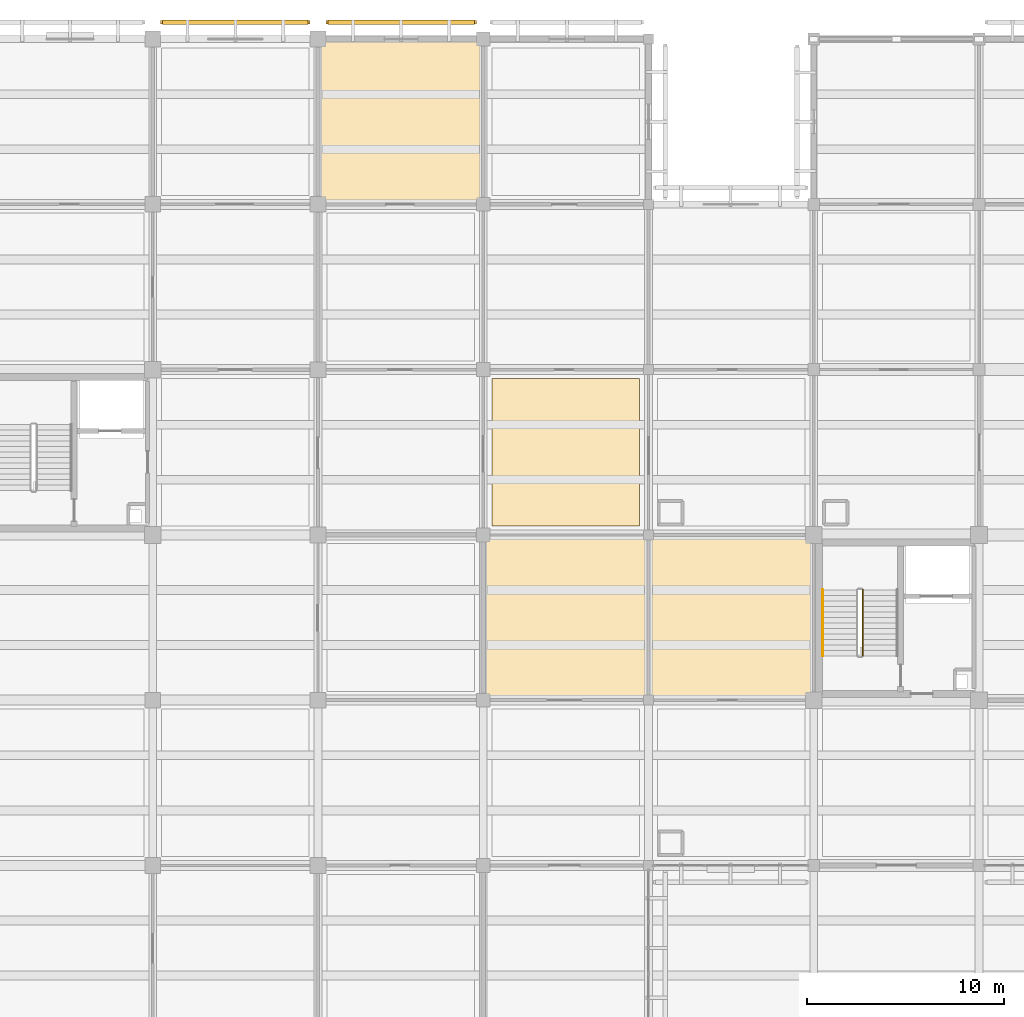
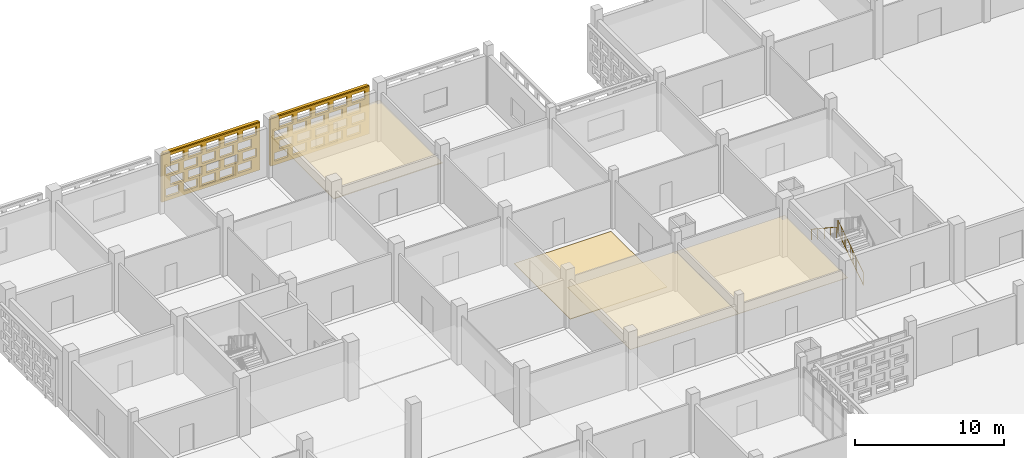
# One storey, part 101 of 129: 6 coverings, 2 railings, 2 shading devices, 40 openings.
"""IFC4 building model written with IfcOpenShell, lengths in metres."""

from ifc_helpers import new_model, si_unit, direction, frame, frame_2d, origin, origin_2d, place, context, subcontext, project, spatial, rectangle, circle, extrude, material, layer, layer_set, type_object, element, save


model = new_model("IFC4")

# Units and contexts
model_context = context("Model", 3, precision=1e-05, world=origin(), true_north=direction((0.0, 1.0)))
body_context = subcontext(model_context, "Body", "Model", "MODEL_VIEW")
ifc_project = project(units=[si_unit("LENGTHUNIT", "METRE"), si_unit("AREAUNIT", "SQUARE_METRE"), si_unit("VOLUMEUNIT", "CUBIC_METRE"), si_unit("PLANEANGLEUNIT", "RADIAN"), si_unit("MASSUNIT", "GRAM", prefix="KILO")], contexts=[model_context])

# Site, building, storey
site_placement = place(None, origin())
site = spatial("IfcSite", under=ifc_project, at=site_placement, CompositionType="ELEMENT")
building_placement = place(site_placement, origin())
building = spatial("IfcBuilding", under=site, at=building_placement, Name="Varnapada Polytechnic", CompositionType="ELEMENT")
storey_placement = place(building_placement, origin())
storey = spatial("IfcBuildingStorey", under=building, at=storey_placement, Name="L00", CompositionType="ELEMENT", Elevation=0.0)

# Covering
ifc_material_1 = material(Name="Acoustic Rubber Seminar Flooring")
ifc_layer_1 = layer(ifc_material_1, 0.0400390625)
ifc_layer_set_1 = layer_set([ifc_layer_1], Name="Acoustic Rubber Seminar Flooring")
covering_type_1 = type_object("IfcCoveringType", Name="Floor Finish FLR-06", PredefinedType="FLOORING", material=ifc_layer_set_1)
covering_1_placement = place(storey_placement, frame((37.800048828125, 105.0, 0.0), z_axis=(0.0, 0.0, 1.0), x_axis=(1.0, 0.0, 0.0)))
element("IfcCovering", 1, at=covering_1_placement, inside=storey, type_object=covering_type_1, Name="L00 floor finish panel (5,13)", PredefinedType="FLOORING", context=body_context, shape_type="SweptSolid", body=[
    extrude(rectangle(XDim=7.5, YDim=7.5, at=origin_2d()), origin(), (0.0, 0.0, 1.0), 0.0400390625),
])

# Railings
ifc_material_2 = material(Name="Brushed Stainless Steel 316", Category="steel")
railing_type_1 = type_object("IfcRailingType", Name="Stair Wall Handrail SHR-01", PredefinedType="HANDRAIL", material=ifc_material_2)
railing_1_placement = place(storey_placement, frame((50.85009765625, 98.010009765625, 2.584716796875)))
element("IfcRailing", 2, at=railing_1_placement, inside=storey, type_object=railing_type_1, Name="L00 ST-4 stair handrail 2", PredefinedType="HANDRAIL", context=body_context, shape_type="SweptSolid", body=[
    extrude(circle(Radius=0.02392578125, at=origin_2d()), frame((0.0, 0.0, 0.8759765625), z_axis=(0.0, -0.834876476806, 0.550437342915), x_axis=(1.0, 0.0, 0.0)), (0.0, 0.0, 1.0), 4.024658203125),
    extrude(circle(Radius=0.02099609375, at=origin_2d()), origin(), (0.0, 0.0, 1.0), 0.851806640625),
    extrude(circle(Radius=0.02099609375, at=origin_2d()), frame((0.0, -0.840087890625, 0.5537109375)), (0.0, 0.0, 1.0), 0.851806640625),
    extrude(circle(Radius=0.02099609375, at=origin_2d()), frame((0.0, -1.68017578125, 1.107666015625)), (0.0, 0.0, 1.0), 0.851806640625),
    extrude(circle(Radius=0.02099609375, at=origin_2d()), frame((0.0, -2.52001953125, 1.66162109375)), (0.0, 0.0, 1.0), 0.851806640625),
    extrude(circle(Radius=0.02099609375, at=origin_2d()), frame((0.0, -3.360107421875, 2.21533203125)), (0.0, 0.0, 1.0), 0.851806640625),
])
railing_type_2 = type_object("IfcRailingType", Name="Stair Well Guard Rail SGR-01", PredefinedType="BALUSTRADE", material=ifc_material_2)
railing_2_placement = place(storey_placement, frame((52.89990234375, 94.64990234375, 0.1845703125)))
element("IfcRailing", 3, at=railing_2_placement, inside=storey, type_object=railing_type_2, Name="L00 ST-4 stair guard 1", PredefinedType="BALUSTRADE", context=body_context, shape_type="SweptSolid", body=[
    extrude(circle(Radius=0.02392578125, at=origin_2d()), frame((0.0, 0.0, 1.09619140625), z_axis=(0.0, 0.834876476806, 0.550437342915), x_axis=(-1.0, 0.0, 0.0)), (0.0, 0.0, 1.0), 4.024658203125),
    extrude(circle(Radius=0.02392578125, at=origin_2d()), frame((0.0, 0.0, 0.10009765625), z_axis=(0.0, 0.834876476806, 0.550437342915), x_axis=(-1.0, 0.0, 0.0)), (0.0, 0.0, 1.0), 4.024658203125),
    extrude(circle(Radius=0.02099609375, at=origin_2d()), origin(), (0.0, 0.0, 1.0), 1.072021484375),
    extrude(circle(Radius=0.02099609375, at=origin_2d()), frame((0.0, 0.840087890625, 0.5537109375)), (0.0, 0.0, 1.0), 1.072021484375),
    extrude(circle(Radius=0.02099609375, at=origin_2d()), frame((0.0, 1.68017578125, 1.107666015625)), (0.0, 0.0, 1.0), 1.072021484375),
    extrude(circle(Radius=0.02099609375, at=origin_2d()), frame((0.0, 2.52001953125, 1.66162109375)), (0.0, 0.0, 1.0), 1.072021484375),
    extrude(circle(Radius=0.02099609375, at=origin_2d()), frame((0.0, 3.360107421875, 2.21533203125)), (0.0, 0.0, 1.0), 1.072021484375),
    extrude(circle(Radius=0.010009765625, at=origin_2d()), frame((0.0, 0.2099609375, 0.238525390625)), (0.0, 0.0, 1.0), 0.971923828125),
    extrude(circle(Radius=0.010009765625, at=origin_2d()), frame((0.0, 0.419921875, 0.376953125)), (0.0, 0.0, 1.0), 0.971923828125),
    extrude(circle(Radius=0.010009765625, at=origin_2d()), frame((0.0, 0.630126953125, 0.515380859375)), (0.0, 0.0, 1.0), 0.971923828125),
    extrude(circle(Radius=0.010009765625, at=origin_2d()), frame((0.0, 0.840087890625, 0.65380859375)), (0.0, 0.0, 1.0), 0.971923828125),
    extrude(circle(Radius=0.010009765625, at=origin_2d()), frame((0.0, 1.050048828125, 0.79248046875)), (0.0, 0.0, 1.0), 0.971923828125),
    extrude(circle(Radius=0.010009765625, at=origin_2d()), frame((0.0, 1.260009765625, 0.930908203125)), (0.0, 0.0, 1.0), 0.971923828125),
    extrude(circle(Radius=0.010009765625, at=origin_2d()), frame((0.0, 1.469970703125, 1.0693359375)), (0.0, 0.0, 1.0), 0.971923828125),
    extrude(circle(Radius=0.010009765625, at=origin_2d()), frame((0.0, 1.68017578125, 1.207763671875)), (0.0, 0.0, 1.0), 0.971923828125),
    extrude(circle(Radius=0.010009765625, at=origin_2d()), frame((0.0, 1.89013671875, 1.34619140625)), (0.0, 0.0, 1.0), 0.971923828125),
    extrude(circle(Radius=0.010009765625, at=origin_2d()), frame((0.0, 2.10009765625, 1.484619140625)), (0.0, 0.0, 1.0), 0.971923828125),
    extrude(circle(Radius=0.010009765625, at=origin_2d()), frame((0.0, 2.31005859375, 1.623046875)), (0.0, 0.0, 1.0), 0.971923828125),
    extrude(circle(Radius=0.010009765625, at=origin_2d()), frame((0.0, 2.52001953125, 1.76171875)), (0.0, 0.0, 1.0), 0.971923828125),
    extrude(circle(Radius=0.010009765625, at=origin_2d()), frame((0.0, 2.72998046875, 1.900146484375)), (0.0, 0.0, 1.0), 0.971923828125),
    extrude(circle(Radius=0.010009765625, at=origin_2d()), frame((0.0, 2.940185546875, 2.03857421875)), (0.0, 0.0, 1.0), 0.971923828125),
    extrude(circle(Radius=0.010009765625, at=origin_2d()), frame((0.0, 3.150146484375, 2.177001953125)), (0.0, 0.0, 1.0), 0.971923828125),
])

# Coverings
ifc_material_3 = material(Name="Moisture-Resistant Aluminum Baffle Ceiling", Category="aluminium")
ifc_layer_2 = layer(ifc_material_3, 0.030029296875)
ifc_layer_set_2 = layer_set([ifc_layer_2], Name="Moisture-Resistant Aluminum Baffle Ceiling")
covering_type_2 = type_object("IfcCoveringType", Name="Suspended Ceiling CLG-03", PredefinedType="CEILING", material=ifc_layer_set_2)
covering_2_placement = place(storey_placement, frame((37.800048828125, 96.60009765625, 3.03515625), z_axis=(0.0, 0.0, 1.0), x_axis=(1.0, 0.0, 0.0)))
element("IfcCovering", 4, at=covering_2_placement, inside=storey, type_object=covering_type_2, Name="L00 suspended acoustic ceiling (5,12)", PredefinedType="CEILING", context=body_context, shape_type="SweptSolid", body=[
    extrude(rectangle(XDim=8.419921875, YDim=8.419921875, at=origin_2d()), origin(), (0.0, 0.0, 1.0), 0.030029296875),
])
ifc_material_4 = material(Name="Cleanroom Laboratory Metal Pan Ceiling")
ifc_layer_3 = layer(ifc_material_4, 0.034912109375)
ifc_layer_set_3 = layer_set([ifc_layer_3], Name="Cleanroom Laboratory Metal Pan Ceiling")
covering_type_3 = type_object("IfcCoveringType", Name="Suspended Ceiling CLG-06", PredefinedType="CEILING", material=ifc_layer_set_3)
covering_3_placement = place(storey_placement, frame((46.199951171875, 96.60009765625, 3.03271484375), z_axis=(0.0, 0.0, 1.0), x_axis=(1.0, 0.0, 0.0)))
element("IfcCovering", 5, at=covering_3_placement, inside=storey, type_object=covering_type_3, Name="L00 suspended acoustic ceiling (6,12)", PredefinedType="CEILING", context=body_context, shape_type="SweptSolid", body=[
    extrude(rectangle(XDim=8.419921875, YDim=8.419921875, at=origin_2d()), origin(), (0.0, 0.0, 1.0), 0.034912109375),
])
ifc_material_5 = material(Name="Deep Acoustic Auditorium Cloud Baffle")
ifc_layer_4 = layer(ifc_material_5, 0.06494140625)
ifc_layer_set_4 = layer_set([ifc_layer_4], Name="Deep Acoustic Auditorium Cloud Baffle")
covering_type_4 = type_object("IfcCoveringType", Name="Suspended Ceiling CLG-07", PredefinedType="CEILING", material=ifc_layer_set_4)
covering_4_placement = place(storey_placement, frame((29.39990234375, 121.800048828125, 3.017578125), z_axis=(0.0, 0.0, 1.0), x_axis=(1.0, 0.0, 0.0)))
element("IfcCovering", 6, at=covering_4_placement, inside=storey, type_object=covering_type_4, Name="L00 suspended acoustic ceiling (4,15)", PredefinedType="CEILING", context=body_context, shape_type="SweptSolid", body=[
    extrude(rectangle(XDim=8.419921875, YDim=8.419921875, at=origin_2d()), origin(), (0.0, 0.0, 1.0), 0.06494140625),
])

# Covering, openings
ifc_material_6 = material(Name="Earth-toned architectural terracotta screen block", Category="masonry")
ifc_layer_5 = layer(ifc_material_6, 0.1201171875)
ifc_layer_set_5 = layer_set([ifc_layer_5], Name="Earth-toned architectural terracotta screen block")
covering_type_5 = type_object("IfcCoveringType", Name="Terracotta Screen Cladding CLD-01", PredefinedType="CLADDING", material=ifc_layer_set_5)
covering_5_placement = place(storey_placement, frame((17.199951171875, 126.85009765625, 0.0), z_axis=(0.0, 0.0, 1.0), x_axis=(1.0, 0.0, 0.0)))
covering_5 = element("IfcCovering", 7, at=covering_5_placement, inside=storey, type_object=covering_type_5, Name="L00 perforated terracotta block screen (21)", PredefinedType="CLADDING", context=body_context, shape_type="SweptSolid", body=[
    extrude(rectangle(XDim=7.60009765625, YDim=0.179931640625, at=frame_2d((3.800048828125, 0.0))), origin(), (0.0, 0.0, 1.0), 3.919921875),
])
opening_1_placement = place(covering_5_placement, frame((0.300048828125, 0.0, 0.313720703125)))
element("IfcOpeningElement", 8, at=opening_1_placement, cuts=covering_5, Name="Screen perforation TBS-L00-020.1", PredefinedType="OPENING", context=body_context, shape_type="SweptSolid", body=[
    extrude(rectangle(XDim=1.0400390625, YDim=0.679931640625, at=frame_2d((0.52001953125, 0.33984375))), frame((0.0, 0.099853515625, 0.0), z_axis=(0.0, -1.0, 0.0), x_axis=(1.0, 0.0, 0.0)), (0.0, 0.0, 1.0), 0.199951171875),
])
opening_2_placement = place(covering_5_placement, frame((1.699951171875, 0.0, 0.313720703125)))
element("IfcOpeningElement", 9, at=opening_2_placement, cuts=covering_5, Name="Screen perforation TBS-L00-020.2", PredefinedType="OPENING", context=body_context, shape_type="SweptSolid", body=[
    extrude(rectangle(XDim=1.0400390625, YDim=0.679931640625, at=frame_2d((0.52001953125, 0.33984375))), frame((0.0, 0.099853515625, 0.0), z_axis=(0.0, -1.0, 0.0), x_axis=(1.0, 0.0, 0.0)), (0.0, 0.0, 1.0), 0.199951171875),
])
opening_3_placement = place(covering_5_placement, frame((3.10009765625, 0.0, 0.313720703125)))
element("IfcOpeningElement", 10, at=opening_3_placement, cuts=covering_5, Name="Screen perforation TBS-L00-020.3", PredefinedType="OPENING", context=body_context, shape_type="SweptSolid", body=[
    extrude(rectangle(XDim=1.0400390625, YDim=0.679931640625, at=frame_2d((0.52001953125, 0.33984375))), frame((0.0, 0.099853515625, 0.0), z_axis=(0.0, -1.0, 0.0), x_axis=(1.0, 0.0, 0.0)), (0.0, 0.0, 1.0), 0.199951171875),
])
opening_4_placement = place(covering_5_placement, frame((4.5, 0.0, 0.313720703125)))
element("IfcOpeningElement", 11, at=opening_4_placement, cuts=covering_5, Name="Screen perforation TBS-L00-020.4", PredefinedType="OPENING", context=body_context, shape_type="SweptSolid", body=[
    extrude(rectangle(XDim=1.0400390625, YDim=0.679931640625, at=frame_2d((0.52001953125, 0.33984375))), frame((0.0, 0.099853515625, 0.0), z_axis=(0.0, -1.0, 0.0), x_axis=(1.0, 0.0, 0.0)), (0.0, 0.0, 1.0), 0.199951171875),
])
opening_5_placement = place(covering_5_placement, frame((5.89990234375, 0.0, 0.313720703125)))
element("IfcOpeningElement", 12, at=opening_5_placement, cuts=covering_5, Name="Screen perforation TBS-L00-020.5", PredefinedType="OPENING", context=body_context, shape_type="SweptSolid", body=[
    extrude(rectangle(XDim=1.0400390625, YDim=0.679931640625, at=frame_2d((0.52001953125, 0.33984375))), frame((0.0, 0.099853515625, 0.0), z_axis=(0.0, -1.0, 0.0), x_axis=(1.0, 0.0, 0.0)), (0.0, 0.0, 1.0), 0.199951171875),
])
opening_6_placement = place(covering_5_placement, frame((0.659912109375, 0.0, 1.195556640625)))
element("IfcOpeningElement", 13, at=opening_6_placement, cuts=covering_5, Name="Screen perforation TBS-L00-020.6", PredefinedType="OPENING", context=body_context, shape_type="SweptSolid", body=[
    extrude(rectangle(XDim=1.0400390625, YDim=0.679931640625, at=frame_2d((0.52001953125, 0.33984375))), frame((0.0, 0.099853515625, 0.0), z_axis=(0.0, -1.0, 0.0), x_axis=(1.0, 0.0, 0.0)), (0.0, 0.0, 1.0), 0.199951171875),
])
opening_7_placement = place(covering_5_placement, frame((2.06005859375, 0.0, 1.195556640625)))
element("IfcOpeningElement", 14, at=opening_7_placement, cuts=covering_5, Name="Screen perforation TBS-L00-020.7", PredefinedType="OPENING", context=body_context, shape_type="SweptSolid", body=[
    extrude(rectangle(XDim=1.0400390625, YDim=0.679931640625, at=frame_2d((0.52001953125, 0.33984375))), frame((0.0, 0.099853515625, 0.0), z_axis=(0.0, -1.0, 0.0), x_axis=(1.0, 0.0, 0.0)), (0.0, 0.0, 1.0), 0.199951171875),
])
opening_8_placement = place(covering_5_placement, frame((3.4599609375, 0.0, 1.195556640625)))
element("IfcOpeningElement", 15, at=opening_8_placement, cuts=covering_5, Name="Screen perforation TBS-L00-020.8", PredefinedType="OPENING", context=body_context, shape_type="SweptSolid", body=[
    extrude(rectangle(XDim=1.0400390625, YDim=0.679931640625, at=frame_2d((0.52001953125, 0.33984375))), frame((0.0, 0.099853515625, 0.0), z_axis=(0.0, -1.0, 0.0), x_axis=(1.0, 0.0, 0.0)), (0.0, 0.0, 1.0), 0.199951171875),
])
opening_9_placement = place(covering_5_placement, frame((4.860107421875, 0.0, 1.195556640625)))
element("IfcOpeningElement", 16, at=opening_9_placement, cuts=covering_5, Name="Screen perforation TBS-L00-020.9", PredefinedType="OPENING", context=body_context, shape_type="SweptSolid", body=[
    extrude(rectangle(XDim=1.0400390625, YDim=0.679931640625, at=frame_2d((0.52001953125, 0.33984375))), frame((0.0, 0.099853515625, 0.0), z_axis=(0.0, -1.0, 0.0), x_axis=(1.0, 0.0, 0.0)), (0.0, 0.0, 1.0), 0.199951171875),
])
opening_10_placement = place(covering_5_placement, frame((6.260009765625, 0.0, 1.195556640625)))
element("IfcOpeningElement", 17, at=opening_10_placement, cuts=covering_5, Name="Screen perforation TBS-L00-020.10", PredefinedType="OPENING", context=body_context, shape_type="SweptSolid", body=[
    extrude(rectangle(XDim=1.0400390625, YDim=0.679931640625, at=frame_2d((0.52001953125, 0.33984375))), frame((0.0, 0.099853515625, 0.0), z_axis=(0.0, -1.0, 0.0), x_axis=(1.0, 0.0, 0.0)), (0.0, 0.0, 1.0), 0.199951171875),
])
opening_11_placement = place(covering_5_placement, frame((0.300048828125, 0.0, 2.07763671875)))
element("IfcOpeningElement", 18, at=opening_11_placement, cuts=covering_5, Name="Screen perforation TBS-L00-020.11", PredefinedType="OPENING", context=body_context, shape_type="SweptSolid", body=[
    extrude(rectangle(XDim=1.0400390625, YDim=0.679931640625, at=frame_2d((0.52001953125, 0.33984375))), frame((0.0, 0.099853515625, 0.0), z_axis=(0.0, -1.0, 0.0), x_axis=(1.0, 0.0, 0.0)), (0.0, 0.0, 1.0), 0.199951171875),
])
opening_12_placement = place(covering_5_placement, frame((1.699951171875, 0.0, 2.07763671875)))
element("IfcOpeningElement", 19, at=opening_12_placement, cuts=covering_5, Name="Screen perforation TBS-L00-020.12", PredefinedType="OPENING", context=body_context, shape_type="SweptSolid", body=[
    extrude(rectangle(XDim=1.0400390625, YDim=0.679931640625, at=frame_2d((0.52001953125, 0.33984375))), frame((0.0, 0.099853515625, 0.0), z_axis=(0.0, -1.0, 0.0), x_axis=(1.0, 0.0, 0.0)), (0.0, 0.0, 1.0), 0.199951171875),
])
opening_13_placement = place(covering_5_placement, frame((3.10009765625, 0.0, 2.07763671875)))
element("IfcOpeningElement", 20, at=opening_13_placement, cuts=covering_5, Name="Screen perforation TBS-L00-020.13", PredefinedType="OPENING", context=body_context, shape_type="SweptSolid", body=[
    extrude(rectangle(XDim=1.0400390625, YDim=0.679931640625, at=frame_2d((0.52001953125, 0.33984375))), frame((0.0, 0.099853515625, 0.0), z_axis=(0.0, -1.0, 0.0), x_axis=(1.0, 0.0, 0.0)), (0.0, 0.0, 1.0), 0.199951171875),
])
opening_14_placement = place(covering_5_placement, frame((4.5, 0.0, 2.07763671875)))
element("IfcOpeningElement", 21, at=opening_14_placement, cuts=covering_5, Name="Screen perforation TBS-L00-020.14", PredefinedType="OPENING", context=body_context, shape_type="SweptSolid", body=[
    extrude(rectangle(XDim=1.0400390625, YDim=0.679931640625, at=frame_2d((0.52001953125, 0.33984375))), frame((0.0, 0.099853515625, 0.0), z_axis=(0.0, -1.0, 0.0), x_axis=(1.0, 0.0, 0.0)), (0.0, 0.0, 1.0), 0.199951171875),
])
opening_15_placement = place(covering_5_placement, frame((5.89990234375, 0.0, 2.07763671875)))
element("IfcOpeningElement", 22, at=opening_15_placement, cuts=covering_5, Name="Screen perforation TBS-L00-020.15", PredefinedType="OPENING", context=body_context, shape_type="SweptSolid", body=[
    extrude(rectangle(XDim=1.0400390625, YDim=0.679931640625, at=frame_2d((0.52001953125, 0.33984375))), frame((0.0, 0.099853515625, 0.0), z_axis=(0.0, -1.0, 0.0), x_axis=(1.0, 0.0, 0.0)), (0.0, 0.0, 1.0), 0.199951171875),
])
opening_16_placement = place(covering_5_placement, frame((0.659912109375, 0.0, 2.959716796875)))
element("IfcOpeningElement", 23, at=opening_16_placement, cuts=covering_5, Name="Screen perforation TBS-L00-020.16", PredefinedType="OPENING", context=body_context, shape_type="SweptSolid", body=[
    extrude(rectangle(XDim=1.0400390625, YDim=0.679931640625, at=frame_2d((0.52001953125, 0.33984375))), frame((0.0, 0.099853515625, 0.0), z_axis=(0.0, -1.0, 0.0), x_axis=(1.0, 0.0, 0.0)), (0.0, 0.0, 1.0), 0.199951171875),
])
opening_17_placement = place(covering_5_placement, frame((2.06005859375, 0.0, 2.959716796875)))
element("IfcOpeningElement", 24, at=opening_17_placement, cuts=covering_5, Name="Screen perforation TBS-L00-020.17", PredefinedType="OPENING", context=body_context, shape_type="SweptSolid", body=[
    extrude(rectangle(XDim=1.0400390625, YDim=0.679931640625, at=frame_2d((0.52001953125, 0.33984375))), frame((0.0, 0.099853515625, 0.0), z_axis=(0.0, -1.0, 0.0), x_axis=(1.0, 0.0, 0.0)), (0.0, 0.0, 1.0), 0.199951171875),
])
opening_18_placement = place(covering_5_placement, frame((3.4599609375, 0.0, 2.959716796875)))
element("IfcOpeningElement", 25, at=opening_18_placement, cuts=covering_5, Name="Screen perforation TBS-L00-020.18", PredefinedType="OPENING", context=body_context, shape_type="SweptSolid", body=[
    extrude(rectangle(XDim=1.0400390625, YDim=0.679931640625, at=frame_2d((0.52001953125, 0.33984375))), frame((0.0, 0.099853515625, 0.0), z_axis=(0.0, -1.0, 0.0), x_axis=(1.0, 0.0, 0.0)), (0.0, 0.0, 1.0), 0.199951171875),
])
opening_19_placement = place(covering_5_placement, frame((4.860107421875, 0.0, 2.959716796875)))
element("IfcOpeningElement", 26, at=opening_19_placement, cuts=covering_5, Name="Screen perforation TBS-L00-020.19", PredefinedType="OPENING", context=body_context, shape_type="SweptSolid", body=[
    extrude(rectangle(XDim=1.0400390625, YDim=0.679931640625, at=frame_2d((0.52001953125, 0.33984375))), frame((0.0, 0.099853515625, 0.0), z_axis=(0.0, -1.0, 0.0), x_axis=(1.0, 0.0, 0.0)), (0.0, 0.0, 1.0), 0.199951171875),
])
opening_20_placement = place(covering_5_placement, frame((6.260009765625, 0.0, 2.959716796875)))
element("IfcOpeningElement", 27, at=opening_20_placement, cuts=covering_5, Name="Screen perforation TBS-L00-020.20", PredefinedType="OPENING", context=body_context, shape_type="SweptSolid", body=[
    extrude(rectangle(XDim=1.0400390625, YDim=0.679931640625, at=frame_2d((0.52001953125, 0.33984375))), frame((0.0, 0.099853515625, 0.0), z_axis=(0.0, -1.0, 0.0), x_axis=(1.0, 0.0, 0.0)), (0.0, 0.0, 1.0), 0.199951171875),
])

covering_6_placement = place(storey_placement, frame((25.60009765625, 126.85009765625, 0.0), z_axis=(0.0, 0.0, 1.0), x_axis=(1.0, 0.0, 0.0)))
covering_6 = element("IfcCovering", 28, at=covering_6_placement, inside=storey, type_object=covering_type_5, Name="L00 perforated terracotta block screen (23)", PredefinedType="CLADDING", context=body_context, shape_type="SweptSolid", body=[
    extrude(rectangle(XDim=7.64990234375, YDim=0.179931640625, at=frame_2d((3.824951171875, 0.0))), origin(), (0.0, 0.0, 1.0), 3.919921875),
])
opening_21_placement = place(covering_6_placement, frame((0.324951171875, 0.0, 0.313720703125)))
element("IfcOpeningElement", 29, at=opening_21_placement, cuts=covering_6, Name="Screen perforation TBS-L00-022.1", PredefinedType="OPENING", context=body_context, shape_type="SweptSolid", body=[
    extrude(rectangle(XDim=1.0400390625, YDim=0.679931640625, at=frame_2d((0.52001953125, 0.33984375))), frame((0.0, 0.099853515625, 0.0), z_axis=(0.0, -1.0, 0.0), x_axis=(1.0, 0.0, 0.0)), (0.0, 0.0, 1.0), 0.199951171875),
])
opening_22_placement = place(covering_6_placement, frame((1.72509765625, 0.0, 0.313720703125)))
element("IfcOpeningElement", 30, at=opening_22_placement, cuts=covering_6, Name="Screen perforation TBS-L00-022.2", PredefinedType="OPENING", context=body_context, shape_type="SweptSolid", body=[
    extrude(rectangle(XDim=1.0400390625, YDim=0.679931640625, at=frame_2d((0.52001953125, 0.33984375))), frame((0.0, 0.099853515625, 0.0), z_axis=(0.0, -1.0, 0.0), x_axis=(1.0, 0.0, 0.0)), (0.0, 0.0, 1.0), 0.199951171875),
])
opening_23_placement = place(covering_6_placement, frame((3.125, 0.0, 0.313720703125)))
element("IfcOpeningElement", 31, at=opening_23_placement, cuts=covering_6, Name="Screen perforation TBS-L00-022.3", PredefinedType="OPENING", context=body_context, shape_type="SweptSolid", body=[
    extrude(rectangle(XDim=1.0400390625, YDim=0.679931640625, at=frame_2d((0.52001953125, 0.33984375))), frame((0.0, 0.099853515625, 0.0), z_axis=(0.0, -1.0, 0.0), x_axis=(1.0, 0.0, 0.0)), (0.0, 0.0, 1.0), 0.199951171875),
])
opening_24_placement = place(covering_6_placement, frame((4.52490234375, 0.0, 0.313720703125)))
element("IfcOpeningElement", 32, at=opening_24_placement, cuts=covering_6, Name="Screen perforation TBS-L00-022.4", PredefinedType="OPENING", context=body_context, shape_type="SweptSolid", body=[
    extrude(rectangle(XDim=1.0400390625, YDim=0.679931640625, at=frame_2d((0.52001953125, 0.33984375))), frame((0.0, 0.099853515625, 0.0), z_axis=(0.0, -1.0, 0.0), x_axis=(1.0, 0.0, 0.0)), (0.0, 0.0, 1.0), 0.199951171875),
])
opening_25_placement = place(covering_6_placement, frame((5.925048828125, 0.0, 0.313720703125)))
element("IfcOpeningElement", 33, at=opening_25_placement, cuts=covering_6, Name="Screen perforation TBS-L00-022.5", PredefinedType="OPENING", context=body_context, shape_type="SweptSolid", body=[
    extrude(rectangle(XDim=1.0400390625, YDim=0.679931640625, at=frame_2d((0.52001953125, 0.33984375))), frame((0.0, 0.099853515625, 0.0), z_axis=(0.0, -1.0, 0.0), x_axis=(1.0, 0.0, 0.0)), (0.0, 0.0, 1.0), 0.199951171875),
])
opening_26_placement = place(covering_6_placement, frame((0.68505859375, 0.0, 1.195556640625)))
element("IfcOpeningElement", 34, at=opening_26_placement, cuts=covering_6, Name="Screen perforation TBS-L00-022.6", PredefinedType="OPENING", context=body_context, shape_type="SweptSolid", body=[
    extrude(rectangle(XDim=1.0400390625, YDim=0.679931640625, at=frame_2d((0.52001953125, 0.33984375))), frame((0.0, 0.099853515625, 0.0), z_axis=(0.0, -1.0, 0.0), x_axis=(1.0, 0.0, 0.0)), (0.0, 0.0, 1.0), 0.199951171875),
])
opening_27_placement = place(covering_6_placement, frame((2.0849609375, 0.0, 1.195556640625)))
element("IfcOpeningElement", 35, at=opening_27_placement, cuts=covering_6, Name="Screen perforation TBS-L00-022.7", PredefinedType="OPENING", context=body_context, shape_type="SweptSolid", body=[
    extrude(rectangle(XDim=1.0400390625, YDim=0.679931640625, at=frame_2d((0.52001953125, 0.33984375))), frame((0.0, 0.099853515625, 0.0), z_axis=(0.0, -1.0, 0.0), x_axis=(1.0, 0.0, 0.0)), (0.0, 0.0, 1.0), 0.199951171875),
])
opening_28_placement = place(covering_6_placement, frame((3.485107421875, 0.0, 1.195556640625)))
element("IfcOpeningElement", 36, at=opening_28_placement, cuts=covering_6, Name="Screen perforation TBS-L00-022.8", PredefinedType="OPENING", context=body_context, shape_type="SweptSolid", body=[
    extrude(rectangle(XDim=1.0400390625, YDim=0.679931640625, at=frame_2d((0.52001953125, 0.33984375))), frame((0.0, 0.099853515625, 0.0), z_axis=(0.0, -1.0, 0.0), x_axis=(1.0, 0.0, 0.0)), (0.0, 0.0, 1.0), 0.199951171875),
])
opening_29_placement = place(covering_6_placement, frame((4.885009765625, 0.0, 1.195556640625)))
element("IfcOpeningElement", 37, at=opening_29_placement, cuts=covering_6, Name="Screen perforation TBS-L00-022.9", PredefinedType="OPENING", context=body_context, shape_type="SweptSolid", body=[
    extrude(rectangle(XDim=1.0400390625, YDim=0.679931640625, at=frame_2d((0.52001953125, 0.33984375))), frame((0.0, 0.099853515625, 0.0), z_axis=(0.0, -1.0, 0.0), x_axis=(1.0, 0.0, 0.0)), (0.0, 0.0, 1.0), 0.199951171875),
])
opening_30_placement = place(covering_6_placement, frame((6.284912109375, 0.0, 1.195556640625)))
element("IfcOpeningElement", 38, at=opening_30_placement, cuts=covering_6, Name="Screen perforation TBS-L00-022.10", PredefinedType="OPENING", context=body_context, shape_type="SweptSolid", body=[
    extrude(rectangle(XDim=1.0400390625, YDim=0.679931640625, at=frame_2d((0.52001953125, 0.33984375))), frame((0.0, 0.099853515625, 0.0), z_axis=(0.0, -1.0, 0.0), x_axis=(1.0, 0.0, 0.0)), (0.0, 0.0, 1.0), 0.199951171875),
])
opening_31_placement = place(covering_6_placement, frame((0.324951171875, 0.0, 2.07763671875)))
element("IfcOpeningElement", 39, at=opening_31_placement, cuts=covering_6, Name="Screen perforation TBS-L00-022.11", PredefinedType="OPENING", context=body_context, shape_type="SweptSolid", body=[
    extrude(rectangle(XDim=1.0400390625, YDim=0.679931640625, at=frame_2d((0.52001953125, 0.33984375))), frame((0.0, 0.099853515625, 0.0), z_axis=(0.0, -1.0, 0.0), x_axis=(1.0, 0.0, 0.0)), (0.0, 0.0, 1.0), 0.199951171875),
])
opening_32_placement = place(covering_6_placement, frame((1.72509765625, 0.0, 2.07763671875)))
element("IfcOpeningElement", 40, at=opening_32_placement, cuts=covering_6, Name="Screen perforation TBS-L00-022.12", PredefinedType="OPENING", context=body_context, shape_type="SweptSolid", body=[
    extrude(rectangle(XDim=1.0400390625, YDim=0.679931640625, at=frame_2d((0.52001953125, 0.33984375))), frame((0.0, 0.099853515625, 0.0), z_axis=(0.0, -1.0, 0.0), x_axis=(1.0, 0.0, 0.0)), (0.0, 0.0, 1.0), 0.199951171875),
])
opening_33_placement = place(covering_6_placement, frame((3.125, 0.0, 2.07763671875)))
element("IfcOpeningElement", 41, at=opening_33_placement, cuts=covering_6, Name="Screen perforation TBS-L00-022.13", PredefinedType="OPENING", context=body_context, shape_type="SweptSolid", body=[
    extrude(rectangle(XDim=1.0400390625, YDim=0.679931640625, at=frame_2d((0.52001953125, 0.33984375))), frame((0.0, 0.099853515625, 0.0), z_axis=(0.0, -1.0, 0.0), x_axis=(1.0, 0.0, 0.0)), (0.0, 0.0, 1.0), 0.199951171875),
])
opening_34_placement = place(covering_6_placement, frame((4.52490234375, 0.0, 2.07763671875)))
element("IfcOpeningElement", 42, at=opening_34_placement, cuts=covering_6, Name="Screen perforation TBS-L00-022.14", PredefinedType="OPENING", context=body_context, shape_type="SweptSolid", body=[
    extrude(rectangle(XDim=1.0400390625, YDim=0.679931640625, at=frame_2d((0.52001953125, 0.33984375))), frame((0.0, 0.099853515625, 0.0), z_axis=(0.0, -1.0, 0.0), x_axis=(1.0, 0.0, 0.0)), (0.0, 0.0, 1.0), 0.199951171875),
])
opening_35_placement = place(covering_6_placement, frame((5.925048828125, 0.0, 2.07763671875)))
element("IfcOpeningElement", 43, at=opening_35_placement, cuts=covering_6, Name="Screen perforation TBS-L00-022.15", PredefinedType="OPENING", context=body_context, shape_type="SweptSolid", body=[
    extrude(rectangle(XDim=1.0400390625, YDim=0.679931640625, at=frame_2d((0.52001953125, 0.33984375))), frame((0.0, 0.099853515625, 0.0), z_axis=(0.0, -1.0, 0.0), x_axis=(1.0, 0.0, 0.0)), (0.0, 0.0, 1.0), 0.199951171875),
])
opening_36_placement = place(covering_6_placement, frame((0.68505859375, 0.0, 2.959716796875)))
element("IfcOpeningElement", 44, at=opening_36_placement, cuts=covering_6, Name="Screen perforation TBS-L00-022.16", PredefinedType="OPENING", context=body_context, shape_type="SweptSolid", body=[
    extrude(rectangle(XDim=1.0400390625, YDim=0.679931640625, at=frame_2d((0.52001953125, 0.33984375))), frame((0.0, 0.099853515625, 0.0), z_axis=(0.0, -1.0, 0.0), x_axis=(1.0, 0.0, 0.0)), (0.0, 0.0, 1.0), 0.199951171875),
])
opening_37_placement = place(covering_6_placement, frame((2.0849609375, 0.0, 2.959716796875)))
element("IfcOpeningElement", 45, at=opening_37_placement, cuts=covering_6, Name="Screen perforation TBS-L00-022.17", PredefinedType="OPENING", context=body_context, shape_type="SweptSolid", body=[
    extrude(rectangle(XDim=1.0400390625, YDim=0.679931640625, at=frame_2d((0.52001953125, 0.33984375))), frame((0.0, 0.099853515625, 0.0), z_axis=(0.0, -1.0, 0.0), x_axis=(1.0, 0.0, 0.0)), (0.0, 0.0, 1.0), 0.199951171875),
])
opening_38_placement = place(covering_6_placement, frame((3.485107421875, 0.0, 2.959716796875)))
element("IfcOpeningElement", 46, at=opening_38_placement, cuts=covering_6, Name="Screen perforation TBS-L00-022.18", PredefinedType="OPENING", context=body_context, shape_type="SweptSolid", body=[
    extrude(rectangle(XDim=1.0400390625, YDim=0.679931640625, at=frame_2d((0.52001953125, 0.33984375))), frame((0.0, 0.099853515625, 0.0), z_axis=(0.0, -1.0, 0.0), x_axis=(1.0, 0.0, 0.0)), (0.0, 0.0, 1.0), 0.199951171875),
])
opening_39_placement = place(covering_6_placement, frame((4.885009765625, 0.0, 2.959716796875)))
element("IfcOpeningElement", 47, at=opening_39_placement, cuts=covering_6, Name="Screen perforation TBS-L00-022.19", PredefinedType="OPENING", context=body_context, shape_type="SweptSolid", body=[
    extrude(rectangle(XDim=1.0400390625, YDim=0.679931640625, at=frame_2d((0.52001953125, 0.33984375))), frame((0.0, 0.099853515625, 0.0), z_axis=(0.0, -1.0, 0.0), x_axis=(1.0, 0.0, 0.0)), (0.0, 0.0, 1.0), 0.199951171875),
])
opening_40_placement = place(covering_6_placement, frame((6.284912109375, 0.0, 2.959716796875)))
element("IfcOpeningElement", 48, at=opening_40_placement, cuts=covering_6, Name="Screen perforation TBS-L00-022.20", PredefinedType="OPENING", context=body_context, shape_type="SweptSolid", body=[
    extrude(rectangle(XDim=1.0400390625, YDim=0.679931640625, at=frame_2d((0.52001953125, 0.33984375))), frame((0.0, 0.099853515625, 0.0), z_axis=(0.0, -1.0, 0.0), x_axis=(1.0, 0.0, 0.0)), (0.0, 0.0, 1.0), 0.199951171875),
])

# Shading devices
ifc_layer_6 = layer(ifc_material_6, 0.179931640625)
ifc_layer_set_6 = layer_set([ifc_layer_6], Name="Earth-toned architectural terracotta screen block")
shading_device_type = type_object("IfcShadingDeviceType", Name="Terracotta Screen SCR-02", PredefinedType="USERDEFINED", material=ifc_layer_set_6)
shading_device_1_placement = place(storey_placement, frame((21.0, 126.85009765625, 3.909912109375), z_axis=(0.0, 0.0, 1.0), x_axis=(1.0, 0.0, 0.0)))
element("IfcShadingDevice", 49, at=shading_device_1_placement, inside=storey, type_object=shading_device_type, Name="L00 perforated terracotta screen hood 16", ObjectType="SCREEN", PredefinedType="USERDEFINED", context=body_context, shape_type="SweptSolid", body=[
    extrude(rectangle(XDim=7.39990234375, YDim=0.239990234375, at=origin_2d()), origin(), (0.0, 0.0, 1.0), 0.10009765625),
])
shading_device_2_placement = place(storey_placement, frame((29.425048828125, 126.85009765625, 3.909912109375), z_axis=(0.0, 0.0, 1.0), x_axis=(1.0, 0.0, 0.0)))
element("IfcShadingDevice", 50, at=shading_device_2_placement, inside=storey, type_object=shading_device_type, Name="L00 perforated terracotta screen hood 18", ObjectType="SCREEN", PredefinedType="USERDEFINED", context=body_context, shape_type="SweptSolid", body=[
    extrude(rectangle(XDim=7.449951171875, YDim=0.239990234375, at=origin_2d()), origin(), (0.0, 0.0, 1.0), 0.10009765625),
])

save(model, "model.ifc")
